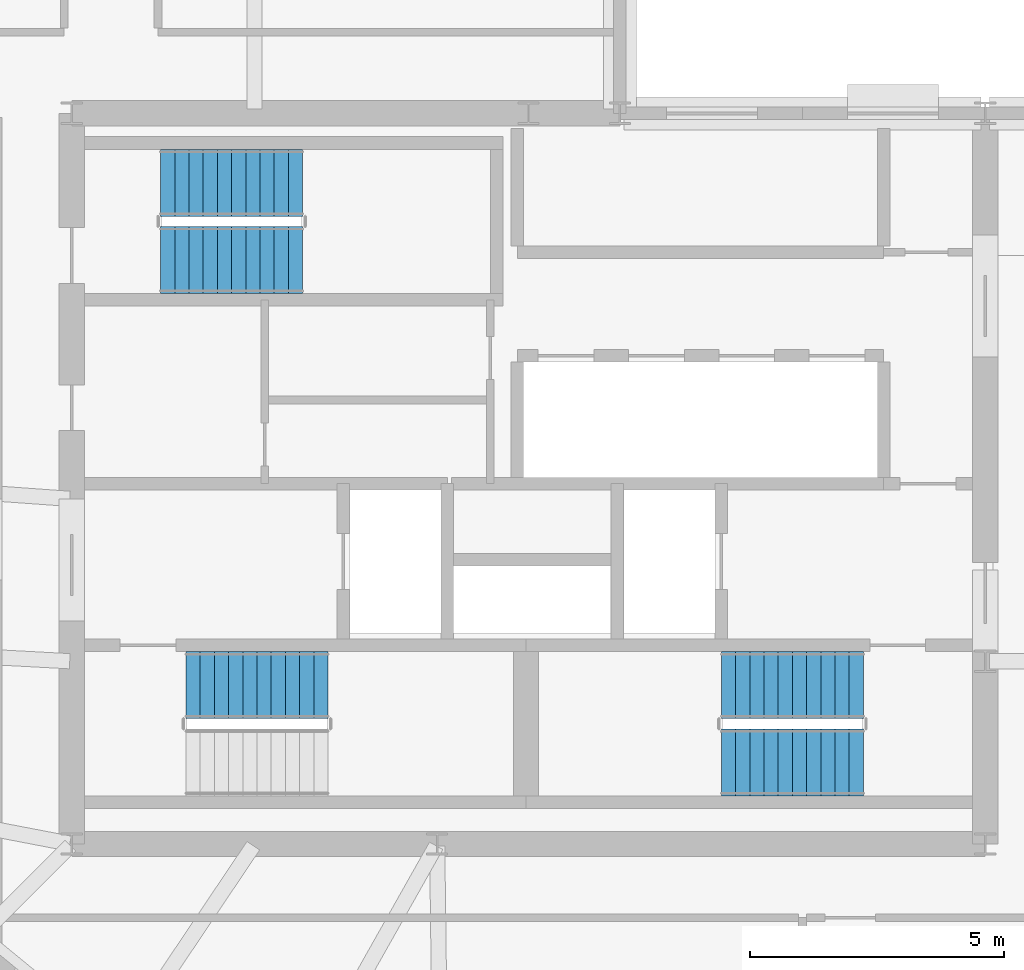
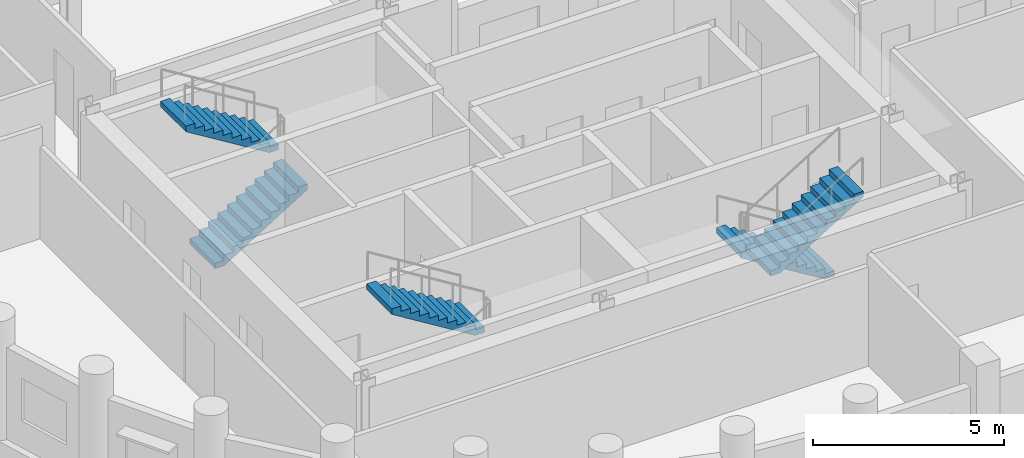
# One storey, part 6 of 8: 5 stair flights, 3 elements without a shape of their own.
"""IFC4 building model written with IfcOpenShell, lengths in metres."""

from ifc_helpers import new_model, si_unit, direction, frame, origin, place, context, subcontext, project, spatial, polyline, outline, extrude, material, type_object, element, aggregate, save


model = new_model("IFC4")

# Units and contexts
model_context = context("Model", 3, precision=1e-05, world=origin(), true_north=direction((0.0, 1.0)))
body_context = subcontext(model_context, "Body", "Model", "MODEL_VIEW")
ifc_project = project(units=[si_unit("LENGTHUNIT", "METRE"), si_unit("AREAUNIT", "SQUARE_METRE"), si_unit("VOLUMEUNIT", "CUBIC_METRE"), si_unit("PLANEANGLEUNIT", "RADIAN"), si_unit("MASSUNIT", "GRAM", prefix="KILO")], contexts=[model_context])

# Site, building, storey
site_placement = place(None, origin())
site = spatial("IfcSite", under=ifc_project, at=site_placement, CompositionType="ELEMENT")
building_placement = place(site_placement, origin())
building = spatial("IfcBuilding", under=site, at=building_placement, Name="Solnavia Interchange Tower", CompositionType="ELEMENT")
storey_placement = place(building_placement, frame((0.0, 0.0, 197.60009765625)))
storey = spatial("IfcBuildingStorey", under=building, at=storey_placement, Name="L49", CompositionType="ELEMENT", Elevation=197.60009765625)

# Stair, stair flight
ifc_material = material(Name="Concrete C40/50", Category="concrete")
stair_type = type_object("IfcStairType", Name="Stair-Dogleg-RC", PredefinedType="HALF_TURN_STAIR", material=ifc_material)
stair_1_placement = place(storey_placement, origin())
stair_1 = element("IfcStair", 1, at=stair_1_placement, inside=storey, type_object=stair_type, Name="L49 Core exit stair 1", PredefinedType="HALF_TURN_STAIR")
stair_flight_type = type_object("IfcStairFlightType", Name="StairFlight-RC-150", PredefinedType="STRAIGHT", material=ifc_material)
stair_flight_1_placement = place(storey_placement, frame((19.449951171875, 13.929931640625, 1.89990234375), z_axis=(0.0, 0.0, 1.0), x_axis=(-1.0, 0.0, 0.0)))
stair_flight_1 = element("IfcStairFlight", 2, at=stair_flight_1_placement, type_object=stair_flight_type, Name="ST-1 flight 2", NumberOfRisers=11, NumberOfTreads=10, PredefinedType="STRAIGHT", RiserHeight=0.172727273, TreadLength=0.28, context=body_context, shape_type="SweptSolid", body=[
    extrude(outline(polyline([(0.0, 0.0), (0.0, 0.172607421875), (0.280029296875, 0.172607421875), (0.280029296875, 0.345458984375), (0.56005859375, 0.345458984375), (0.56005859375, 0.51806640625), (0.840087890625, 0.51806640625), (0.840087890625, 0.69091796875), (1.1201171875, 0.69091796875), (1.1201171875, 0.863525390625), (1.39990234375, 0.863525390625), (1.39990234375, 1.036376953125), (1.679931640625, 1.036376953125), (1.679931640625, 1.208984375), (1.9599609375, 1.208984375), (1.9599609375, 1.3818359375), (2.239990234375, 1.3818359375), (2.239990234375, 1.554443359375), (2.52001953125, 1.554443359375), (2.52001953125, 1.727294921875), (2.800048828125, 1.727294921875), (2.800048828125, 1.89990234375), (2.800048828125, 1.551025390625), (0.285400390625, 0.0), (0.0, 0.0)])), frame((0.0, 0.66015625, 0.0), z_axis=(0.0, -1.0, 0.0), x_axis=(1.0, 0.0, 0.0)), (0.0, 0.0, 1.0), 1.320068359375),
])
aggregate(stair_1, [stair_flight_1])

# Stair, stair flights
stair_2_placement = place(storey_placement, origin())
stair_2 = element("IfcStair", 3, at=stair_2_placement, inside=storey, type_object=stair_type, Name="L49 Core exit stair 2", PredefinedType="HALF_TURN_STAIR")
stair_flight_2_placement = place(storey_placement, frame((30.0, 13.929931640625, 0.0), z_axis=(0.0, 0.0, 1.0), x_axis=(-1.0, 0.0, 0.0)))
stair_flight_2 = element("IfcStairFlight", 4, at=stair_flight_2_placement, type_object=stair_flight_type, Name="ST-2 flight 1", NumberOfRisers=11, NumberOfTreads=10, PredefinedType="STRAIGHT", RiserHeight=0.172727273, TreadLength=0.28, context=body_context, shape_type="SweptSolid", body=[
    extrude(outline(polyline([(0.0, 0.0), (0.0, 0.172607421875), (0.280029296875, 0.172607421875), (0.280029296875, 0.345458984375), (0.56005859375, 0.345458984375), (0.56005859375, 0.51806640625), (0.840087890625, 0.51806640625), (0.840087890625, 0.69091796875), (1.1201171875, 0.69091796875), (1.1201171875, 0.863525390625), (1.39990234375, 0.863525390625), (1.39990234375, 1.036376953125), (1.679931640625, 1.036376953125), (1.679931640625, 1.208984375), (1.9599609375, 1.208984375), (1.9599609375, 1.3818359375), (2.239990234375, 1.3818359375), (2.239990234375, 1.554443359375), (2.52001953125, 1.554443359375), (2.52001953125, 1.727294921875), (2.800048828125, 1.727294921875), (2.800048828125, 1.89990234375), (2.800048828125, 1.551025390625), (0.285400390625, 0.0), (0.0, 0.0)])), frame((0.0, 0.66015625, 0.0), z_axis=(0.0, -1.0, 0.0), x_axis=(1.0, 0.0, 0.0)), (0.0, 0.0, 1.0), 1.320068359375),
])
stair_flight_3_placement = place(storey_placement, frame((27.199951171875, 12.409912109375, 1.89990234375), z_axis=(0.0, 0.0, 1.0), x_axis=(1.0, 0.0, 0.0)))
stair_flight_3 = element("IfcStairFlight", 5, at=stair_flight_3_placement, type_object=stair_flight_type, Name="ST-2 flight 2", NumberOfRisers=11, NumberOfTreads=10, PredefinedType="STRAIGHT", RiserHeight=0.172727273, TreadLength=0.28, context=body_context, shape_type="SweptSolid", body=[
    extrude(outline(polyline([(0.0, 0.0), (0.0, 0.172607421875), (0.280029296875, 0.172607421875), (0.280029296875, 0.345458984375), (0.56005859375, 0.345458984375), (0.56005859375, 0.51806640625), (0.840087890625, 0.51806640625), (0.840087890625, 0.69091796875), (1.1201171875, 0.69091796875), (1.1201171875, 0.863525390625), (1.39990234375, 0.863525390625), (1.39990234375, 1.036376953125), (1.679931640625, 1.036376953125), (1.679931640625, 1.208984375), (1.9599609375, 1.208984375), (1.9599609375, 1.3818359375), (2.239990234375, 1.3818359375), (2.239990234375, 1.554443359375), (2.52001953125, 1.554443359375), (2.52001953125, 1.727294921875), (2.800048828125, 1.727294921875), (2.800048828125, 1.89990234375), (2.800048828125, 1.551025390625), (0.285400390625, 0.0), (0.0, 0.0)])), frame((0.0, 0.66015625, 0.0), z_axis=(0.0, -1.0, 0.0), x_axis=(1.0, 0.0, 0.0)), (0.0, 0.0, 1.0), 1.320068359375),
])
aggregate(stair_2, [stair_flight_2, stair_flight_3])

stair_3_placement = place(storey_placement, origin())
stair_3 = element("IfcStair", 6, at=stair_3_placement, inside=storey, type_object=stair_type, Name="L49 Core exit stair 3", PredefinedType="HALF_TURN_STAIR")
stair_flight_4_placement = place(storey_placement, frame((16.14990234375, 22.31005859375, 0.0), z_axis=(0.0, 0.0, 1.0), x_axis=(1.0, 0.0, 0.0)))
stair_flight_4 = element("IfcStairFlight", 7, at=stair_flight_4_placement, type_object=stair_flight_type, Name="ST-3 flight 1", NumberOfRisers=11, NumberOfTreads=10, PredefinedType="STRAIGHT", RiserHeight=0.172727273, TreadLength=0.28, context=body_context, shape_type="SweptSolid", body=[
    extrude(outline(polyline([(0.0, 0.0), (0.0, 0.172607421875), (0.280029296875, 0.172607421875), (0.280029296875, 0.345458984375), (0.56005859375, 0.345458984375), (0.56005859375, 0.51806640625), (0.840087890625, 0.51806640625), (0.840087890625, 0.69091796875), (1.1201171875, 0.69091796875), (1.1201171875, 0.863525390625), (1.39990234375, 0.863525390625), (1.39990234375, 1.036376953125), (1.679931640625, 1.036376953125), (1.679931640625, 1.208984375), (1.9599609375, 1.208984375), (1.9599609375, 1.3818359375), (2.239990234375, 1.3818359375), (2.239990234375, 1.554443359375), (2.52001953125, 1.554443359375), (2.52001953125, 1.727294921875), (2.800048828125, 1.727294921875), (2.800048828125, 1.89990234375), (2.800048828125, 1.551025390625), (0.285400390625, 0.0), (0.0, 0.0)])), frame((0.0, 0.66015625, 0.0), z_axis=(0.0, -1.0, 0.0), x_axis=(1.0, 0.0, 0.0)), (0.0, 0.0, 1.0), 1.320068359375),
])
stair_flight_5_placement = place(storey_placement, frame((18.949951171875, 23.830078125, 1.89990234375), z_axis=(0.0, 0.0, 1.0), x_axis=(-1.0, 0.0, 0.0)))
stair_flight_5 = element("IfcStairFlight", 8, at=stair_flight_5_placement, type_object=stair_flight_type, Name="ST-3 flight 2", NumberOfRisers=11, NumberOfTreads=10, PredefinedType="STRAIGHT", RiserHeight=0.172727273, TreadLength=0.28, context=body_context, shape_type="SweptSolid", body=[
    extrude(outline(polyline([(0.0, 0.0), (0.0, 0.172607421875), (0.280029296875, 0.172607421875), (0.280029296875, 0.345458984375), (0.56005859375, 0.345458984375), (0.56005859375, 0.51806640625), (0.840087890625, 0.51806640625), (0.840087890625, 0.69091796875), (1.1201171875, 0.69091796875), (1.1201171875, 0.863525390625), (1.39990234375, 0.863525390625), (1.39990234375, 1.036376953125), (1.679931640625, 1.036376953125), (1.679931640625, 1.208984375), (1.9599609375, 1.208984375), (1.9599609375, 1.3818359375), (2.239990234375, 1.3818359375), (2.239990234375, 1.554443359375), (2.52001953125, 1.554443359375), (2.52001953125, 1.727294921875), (2.800048828125, 1.727294921875), (2.800048828125, 1.89990234375), (2.800048828125, 1.551025390625), (0.285400390625, 0.0), (0.0, 0.0)])), frame((0.0, 0.66015625, 0.0), z_axis=(0.0, -1.0, 0.0), x_axis=(1.0, 0.0, 0.0)), (0.0, 0.0, 1.0), 1.320068359375),
])
aggregate(stair_3, [stair_flight_4, stair_flight_5])

save(model, "model.ifc")
